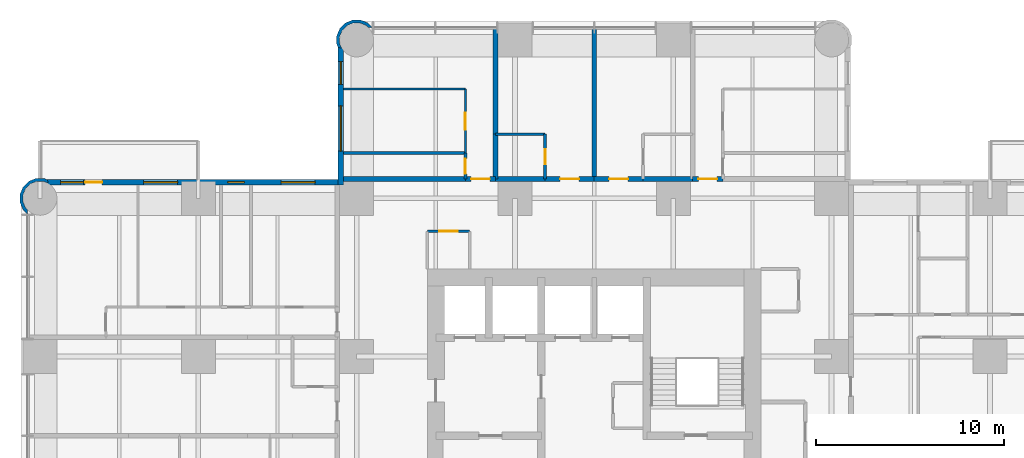
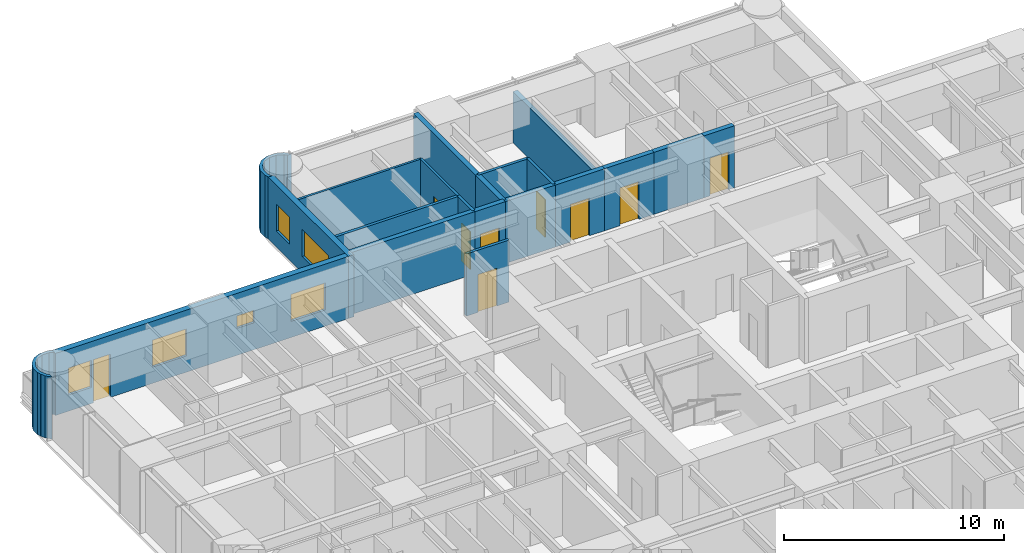
# One storey, part 11 of 14: 21 walls, 9 doors, 6 windows, 15 openings.
"""IFC4 building model written with IfcOpenShell, lengths in metres."""

from ifc_helpers import new_model, si_unit, direction, frame, frame_2d, origin, place, context, subcontext, project, spatial, polyline, rectangle, outline, extrude, material, layer, layer_set, type_object, element, fill, save


model = new_model("IFC4")

# Units and contexts
model_context = context("Model", 3, precision=1e-05, world=origin(), true_north=direction((0.0, 1.0)))
body_context = subcontext(model_context, "Body", "Model", "MODEL_VIEW")
ifc_project = project(units=[si_unit("LENGTHUNIT", "METRE"), si_unit("AREAUNIT", "SQUARE_METRE"), si_unit("VOLUMEUNIT", "CUBIC_METRE"), si_unit("PLANEANGLEUNIT", "RADIAN"), si_unit("MASSUNIT", "GRAM", prefix="KILO")], contexts=[model_context])

# Site, building, storey
site_placement = place(None, origin())
site = spatial("IfcSite", under=ifc_project, at=site_placement, CompositionType="ELEMENT")
building_placement = place(site_placement, origin())
building = spatial("IfcBuilding", under=site, at=building_placement, Name="Torre Alcanfor", CompositionType="ELEMENT")
storey_placement = place(building_placement, frame((0.0, 0.0, 170.10009765625)))
storey = spatial("IfcBuildingStorey", under=building, at=storey_placement, Name="L44", CompositionType="ELEMENT", Elevation=170.10009765625)

# Wall, opening, door
ifc_material_1 = material(Name="Concrete block masonry, hollow blocks NMX-C-404 9 MPa", Category="masonry")
ifc_layer_1 = layer(ifc_material_1, 0.25)
ifc_layer_set_1 = layer_set([ifc_layer_1], Name="Apartment entrance wall 250 EI 60")
wall_type_1 = type_object("IfcWallType", Name="Apartment entrance wall 250 EI 60", PredefinedType="PARTITIONING", material=ifc_layer_set_1)
wall_1_placement = place(storey_placement, frame((26.800048828125, 43.02490234375, 0.0), z_axis=(0.0, 0.0, 1.0), x_axis=(1.0, 0.0, 0.0)))
wall_1 = element("IfcWall", 1, at=wall_1_placement, inside=storey, type_object=wall_type_1, Name="Partition L44-CORR / L44-N1A-STUDIO", PredefinedType="PARTITIONING", context=body_context, shape_type="SweptSolid", body=[
    extrude(rectangle(XDim=2.599853515625, YDim=0.25, at=frame_2d((1.2998046875, 0.0))), origin(), (0.0, 0.0, 1.0), 3.449951171875),
])
opening_1_placement = place(wall_1_placement, frame((0.800048828125, 0.0, 0.0)))
opening_1 = element("IfcOpeningElement", 2, at=opening_1_placement, cuts=wall_1, Name="Opening D-A1", PredefinedType="OPENING", context=body_context, shape_type="SweptSolid", body=[
    extrude(rectangle(XDim=1.0, YDim=2.10009765625, at=frame_2d((0.5, 1.050048828125))), frame((0.0, 0.135009765625, 0.0), z_axis=(0.0, -1.0, 0.0), x_axis=(1.0, 0.0, 0.0)), (0.0, 0.0, 1.0), 0.27001953125),
])
ifc_material_2 = material(Name="Galvanised steel sheet ASTM A653", Category="steel")
door_type_1 = type_object("IfcDoorType", Name="Apartment entrance door FD60 1000x2100", OperationType="SINGLE_SWING_LEFT", PredefinedType="DOOR", material=ifc_material_2)
door_1_placement = place(opening_1_placement, origin())
door_1 = element("IfcDoor", 3, at=door_1_placement, inside=storey, type_object=door_type_1, Name="Apartment entrance L44-N1A", OperationType="SINGLE_SWING_LEFT", OverallHeight=2.10009765625, OverallWidth=1.0, PredefinedType="DOOR", context=body_context, shape_type="SweptSolid", body=[
    extrude(rectangle(XDim=1.0, YDim=2.10009765625, at=frame_2d((0.5, 1.050048828125))), frame((0.0, 0.02490234375, 0.0), z_axis=(0.0, -1.0, 0.0), x_axis=(1.0, 0.0, 0.0)), (0.0, 0.0, 1.0), 0.050048828125),
])
fill(opening_1, door_1)

# Wall
wall_2_placement = place(storey_placement, frame((24.1708984375, 43.02490234375, 0.0), z_axis=(0.0, 0.0, 1.0), x_axis=(1.0, 0.0, 0.0)))
element("IfcWall", 4, at=wall_2_placement, inside=storey, type_object=wall_type_1, Name="Partition L44-CORR / L44-N1A-BATH", PredefinedType="PARTITIONING", context=body_context, shape_type="SweptSolid", body=[
    extrude(rectangle(XDim=2.629150390625, YDim=0.25, at=frame_2d((1.314453125, 0.0))), origin(), (0.0, 0.0, 1.0), 3.449951171875),
])

# Wall, opening, door
wall_3_placement = place(storey_placement, frame((22.571044921875, 43.02490234375, 0.0), z_axis=(0.0, 0.0, 1.0), x_axis=(1.0, 0.0, 0.0)))
wall_3 = element("IfcWall", 5, at=wall_3_placement, inside=storey, type_object=wall_type_1, Name="Partition L44-CORR / L44-N1B-LIVING", PredefinedType="PARTITIONING", context=body_context, shape_type="SweptSolid", body=[
    extrude(rectangle(XDim=1.599853515625, YDim=0.25, at=frame_2d((0.7998046875, 0.0))), origin(), (0.0, 0.0, 1.0), 3.449951171875),
])
opening_2_placement = place(wall_3_placement, frame((0.300048828125, 0.0, 0.0)))
opening_2 = element("IfcOpeningElement", 6, at=opening_2_placement, cuts=wall_3, Name="Opening D-A1", PredefinedType="OPENING", context=body_context, shape_type="SweptSolid", body=[
    extrude(rectangle(XDim=1.0, YDim=2.10009765625, at=frame_2d((0.5, 1.050048828125))), frame((0.0, 0.135009765625, 0.0), z_axis=(0.0, -1.0, 0.0), x_axis=(1.0, 0.0, 0.0)), (0.0, 0.0, 1.0), 0.27001953125),
])
door_2_placement = place(opening_2_placement, origin())
door_2 = element("IfcDoor", 7, at=door_2_placement, inside=storey, type_object=door_type_1, Name="Apartment entrance L44-N1B", OperationType="SINGLE_SWING_LEFT", OverallHeight=2.10009765625, OverallWidth=1.0, PredefinedType="DOOR", context=body_context, shape_type="SweptSolid", body=[
    extrude(rectangle(XDim=1.0, YDim=2.10009765625, at=frame_2d((0.5, 1.050048828125))), frame((0.0, 0.02490234375, 0.0), z_axis=(0.0, -1.0, 0.0), x_axis=(1.0, 0.0, 0.0)), (0.0, 0.0, 1.0), 0.050048828125),
])
fill(opening_2, door_2)

# Wall
wall_4_placement = place(storey_placement, frame((16.10009765625, 43.02490234375, 0.0), z_axis=(0.0, 0.0, 1.0), x_axis=(1.0, 0.0, 0.0)))
element("IfcWall", 8, at=wall_4_placement, inside=storey, type_object=wall_type_1, Name="Partition L44-CORR / L44-N1B-BATH", PredefinedType="PARTITIONING", context=body_context, shape_type="SweptSolid", body=[
    extrude(rectangle(XDim=6.470947265625, YDim=0.25, at=frame_2d((3.2353515625, 0.0))), origin(), (0.0, 0.0, 1.0), 3.449951171875),
])

# Wall, opening, door
wall_5_placement = place(storey_placement, frame((29.39990234375, 43.02490234375, 0.0), z_axis=(0.0, 0.0, 1.0), x_axis=(1.0, 0.0, 0.0)))
wall_5 = element("IfcWall", 9, at=wall_5_placement, inside=storey, type_object=wall_type_1, Name="Partition L44-CORR / L44-N2A-STUDIO", PredefinedType="PARTITIONING", context=body_context, shape_type="SweptSolid", body=[
    extrude(rectangle(XDim=2.60009765625, YDim=0.25, at=frame_2d((1.300048828125, 0.0))), origin(), (0.0, 0.0, 1.0), 3.449951171875),
])
opening_3_placement = place(wall_5_placement, frame((0.800048828125, 0.0, 0.0)))
opening_3 = element("IfcOpeningElement", 10, at=opening_3_placement, cuts=wall_5, Name="Opening D-A1", PredefinedType="OPENING", context=body_context, shape_type="SweptSolid", body=[
    extrude(rectangle(XDim=1.0, YDim=2.10009765625, at=frame_2d((0.5, 1.050048828125))), frame((0.0, 0.135009765625, 0.0), z_axis=(0.0, -1.0, 0.0), x_axis=(1.0, 0.0, 0.0)), (0.0, 0.0, 1.0), 0.27001953125),
])
door_3_placement = place(opening_3_placement, origin())
door_3 = element("IfcDoor", 11, at=door_3_placement, inside=storey, type_object=door_type_1, Name="Apartment entrance L44-N2A", OperationType="SINGLE_SWING_LEFT", OverallHeight=2.10009765625, OverallWidth=1.0, PredefinedType="DOOR", context=body_context, shape_type="SweptSolid", body=[
    extrude(rectangle(XDim=1.0, YDim=2.10009765625, at=frame_2d((0.5, 1.050048828125))), frame((0.0, 0.02490234375, 0.0), z_axis=(0.0, -1.0, 0.0), x_axis=(1.0, 0.0, 0.0)), (0.0, 0.0, 1.0), 0.050048828125),
])
fill(opening_3, door_3)

# Wall
wall_6_placement = place(storey_placement, frame((32.0, 43.02490234375, 0.0), z_axis=(0.0, 0.0, 1.0), x_axis=(1.0, 0.0, 0.0)))
element("IfcWall", 12, at=wall_6_placement, inside=storey, type_object=wall_type_1, Name="Partition L44-CORR / L44-N2A-BATH", PredefinedType="PARTITIONING", context=body_context, shape_type="SweptSolid", body=[
    extrude(rectangle(XDim=2.62890625, YDim=0.25, at=frame_2d((1.314453125, 0.0))), origin(), (0.0, 0.0, 1.0), 3.449951171875),
])

# Wall, opening, door
wall_7_placement = place(storey_placement, frame((34.62890625, 43.02490234375, 0.0), z_axis=(0.0, 0.0, 1.0), x_axis=(1.0, 0.0, 0.0)))
wall_7 = element("IfcWall", 13, at=wall_7_placement, inside=storey, type_object=wall_type_1, Name="Partition L44-CORR / L44-N2B-LIVING", PredefinedType="PARTITIONING", context=body_context, shape_type="SweptSolid", body=[
    extrude(rectangle(XDim=1.60009765625, YDim=0.25, at=frame_2d((0.800048828125, 0.0))), origin(), (0.0, 0.0, 1.0), 3.449951171875),
])
opening_4_placement = place(wall_7_placement, frame((0.300048828125, 0.0, 0.0)))
opening_4 = element("IfcOpeningElement", 14, at=opening_4_placement, cuts=wall_7, Name="Opening D-A1", PredefinedType="OPENING", context=body_context, shape_type="SweptSolid", body=[
    extrude(rectangle(XDim=1.0, YDim=2.10009765625, at=frame_2d((0.5, 1.050048828125))), frame((0.0, 0.135009765625, 0.0), z_axis=(0.0, -1.0, 0.0), x_axis=(1.0, 0.0, 0.0)), (0.0, 0.0, 1.0), 0.27001953125),
])
door_4_placement = place(opening_4_placement, origin())
door_4 = element("IfcDoor", 15, at=door_4_placement, inside=storey, type_object=door_type_1, Name="Apartment entrance L44-N2B", OperationType="SINGLE_SWING_LEFT", OverallHeight=2.10009765625, OverallWidth=1.0, PredefinedType="DOOR", context=body_context, shape_type="SweptSolid", body=[
    extrude(rectangle(XDim=1.0, YDim=2.10009765625, at=frame_2d((0.5, 1.050048828125))), frame((0.0, 0.02490234375, 0.0), z_axis=(0.0, -1.0, 0.0), x_axis=(1.0, 0.0, 0.0)), (0.0, 0.0, 1.0), 0.050048828125),
])
fill(opening_4, door_4)

ifc_material_3 = material(Name="Gypsum board on steel studs", Category="steel")
ifc_layer_2 = layer(ifc_material_3, 0.1201171875)
ifc_layer_set_2 = layer_set([ifc_layer_2], Name="Apartment partition 120")
wall_type_2 = type_object("IfcWallType", Name="Apartment partition 120", PredefinedType="PARTITIONING", material=ifc_layer_set_2)
wall_8_placement = place(storey_placement, frame((22.571044921875, 44.39990234375, 0.0), z_axis=(0.0, 0.0, 1.0), x_axis=(0.0, 1.0, 0.0)))
wall_8 = element("IfcWall", 16, at=wall_8_placement, inside=storey, type_object=wall_type_2, Name="Partition L44-N1B-LIVING / L44-N1B-MASTER", PredefinedType="PARTITIONING", context=body_context, shape_type="SweptSolid", body=[
    extrude(rectangle(XDim=3.400146484375, YDim=0.1201171875, at=frame_2d((1.7001953125, 0.0))), origin(), (0.0, 0.0, 1.0), 3.449951171875),
])
opening_5_placement = place(wall_8_placement, frame((1.25, 0.0, 0.0)))
opening_5 = element("IfcOpeningElement", 17, at=opening_5_placement, cuts=wall_8, Name="Opening D-R1", PredefinedType="OPENING", context=body_context, shape_type="SweptSolid", body=[
    extrude(rectangle(XDim=0.89990234375, YDim=2.10009765625, at=frame_2d((0.449951171875, 1.050048828125))), frame((0.0, 0.070068359375, 0.0), z_axis=(0.0, -1.0, 0.0), x_axis=(1.0, 0.0, 0.0)), (0.0, 0.0, 1.0), 0.14013671875),
])
ifc_material_4 = material(Name="Timber", Category="wood")
door_type_2 = type_object("IfcDoorType", Name="Internal door 900x2100", OperationType="SINGLE_SWING_LEFT", PredefinedType="DOOR", material=ifc_material_4)
door_5_placement = place(opening_5_placement, origin())
door_5 = element("IfcDoor", 18, at=door_5_placement, inside=storey, type_object=door_type_2, Name="Door L44-N1B master", OperationType="SINGLE_SWING_LEFT", OverallHeight=2.10009765625, OverallWidth=0.89990234375, PredefinedType="DOOR", context=body_context, shape_type="SweptSolid", body=[
    extrude(rectangle(XDim=0.89990234375, YDim=2.10009765625, at=frame_2d((0.449951171875, 1.050048828125))), frame((0.0, 0.02490234375, 0.0), z_axis=(0.0, -1.0, 0.0), x_axis=(1.0, 0.0, 0.0)), (0.0, 0.0, 1.0), 0.050048828125),
])
fill(opening_5, door_5)

# Wall
wall_9_placement = place(storey_placement, frame((22.571044921875, 47.800048828125, 0.0), z_axis=(0.0, 0.0, 1.0), x_axis=(-1.0, 0.0, 0.0)))
element("IfcWall", 19, at=wall_9_placement, inside=storey, type_object=wall_type_2, Name="Partition L44-N1B-LIVING / L44-N1B-MASTER", PredefinedType="PARTITIONING", context=body_context, shape_type="SweptSolid", body=[
    extrude(rectangle(XDim=6.470947265625, YDim=0.1201171875, at=frame_2d((3.2353515625, 0.0))), origin(), (0.0, 0.0, 1.0), 3.449951171875),
])

# Wall, openings, door, windows
ifc_material_5 = material(Name="Limestone cladding", Category="masonry")
ifc_layer_3 = layer(ifc_material_5, 0.0400390625, Name="Facing")
ifc_material_6 = material(Name="Ventilated air cavity")
ifc_layer_4 = layer(ifc_material_6, 0.02001953125, ventilated=True, Name="Ventilated joint")
ifc_material_7 = material(Name="Mineral wool insulation", Category="insulation")
ifc_layer_5 = layer(ifc_material_7, 0.10009765625, Name="Insulation")
ifc_material_8 = material(Name="Concrete f'c 35 MPa", Category="concrete")
ifc_layer_6 = layer(ifc_material_8, 0.139892578125, Name="Backing")
ifc_layer_set_3 = layer_set([ifc_layer_3, ifc_layer_4, ifc_layer_5, ifc_layer_6], Name="External wall stone-clad 300")
wall_type_3 = type_object("IfcWallType", Name="External wall stone-clad 300", PredefinedType="SOLIDWALL", material=ifc_layer_set_3)
wall_10_placement = place(storey_placement, frame((15.800048828125, 42.85009765625, 0.0), z_axis=(0.0, 0.0, 1.0), x_axis=(-1.0, 0.0, 0.0)))
wall_10 = element("IfcWall", 20, at=wall_10_placement, inside=storey, type_object=wall_type_3, Name="External wall L44 1", PredefinedType="SOLIDWALL", context=body_context, shape_type="SweptSolid", body=[
    extrude(rectangle(XDim=15.400146484375, YDim=0.300048828125, at=frame_2d((7.7001953125, 0.0))), origin(), (0.0, 0.0, 1.0), 3.449951171875),
])
opening_6_placement = place(wall_10_placement, frame((1.199951171875, 0.0, 0.89990234375)))
opening_6 = element("IfcOpeningElement", 21, at=opening_6_placement, cuts=wall_10, Name="Opening W2", PredefinedType="OPENING", context=body_context, shape_type="SweptSolid", body=[
    extrude(rectangle(XDim=1.800048828125, YDim=1.5, at=frame_2d((0.89990234375, 0.75))), frame((0.0, 0.159912109375, 0.0), z_axis=(0.0, -1.0, 0.0), x_axis=(1.0, 0.0, 0.0)), (0.0, 0.0, 1.0), 0.320068359375),
])
opening_7_placement = place(wall_10_placement, frame((4.949951171875, 0.0, 1.5)))
opening_7 = element("IfcOpeningElement", 22, at=opening_7_placement, cuts=wall_10, Name="Opening W3", PredefinedType="OPENING", context=body_context, shape_type="SweptSolid", body=[
    extrude(rectangle(XDim=0.89990234375, YDim=0.699951171875, at=frame_2d((0.449951171875, 0.35009765625))), frame((0.0, 0.159912109375, 0.0), z_axis=(0.0, -1.0, 0.0), x_axis=(1.0, 0.0, 0.0)), (0.0, 0.0, 1.0), 0.320068359375),
])
opening_8_placement = place(wall_10_placement, frame((8.5, 0.0, 0.89990234375)))
opening_8 = element("IfcOpeningElement", 23, at=opening_8_placement, cuts=wall_10, Name="Opening W2", PredefinedType="OPENING", context=body_context, shape_type="SweptSolid", body=[
    extrude(rectangle(XDim=1.800048828125, YDim=1.5, at=frame_2d((0.89990234375, 0.75))), frame((0.0, 0.159912109375, 0.0), z_axis=(0.0, -1.0, 0.0), x_axis=(1.0, 0.0, 0.0)), (0.0, 0.0, 1.0), 0.320068359375),
])
opening_9_placement = place(wall_10_placement, frame((12.5, 0.0, 0.0)))
opening_9 = element("IfcOpeningElement", 24, at=opening_9_placement, cuts=wall_10, Name="Opening D-B1", PredefinedType="OPENING", context=body_context, shape_type="SweptSolid", body=[
    extrude(rectangle(XDim=0.89990234375, YDim=2.39990234375, at=frame_2d((0.449951171875, 1.199951171875))), frame((0.0, 0.159912109375, 0.0), z_axis=(0.0, -1.0, 0.0), x_axis=(1.0, 0.0, 0.0)), (0.0, 0.0, 1.0), 0.320068359375),
])
opening_10_placement = place(wall_10_placement, frame((13.5, 0.0, 0.89990234375)))
opening_10 = element("IfcOpeningElement", 25, at=opening_10_placement, cuts=wall_10, Name="Opening W4", PredefinedType="OPENING", context=body_context, shape_type="SweptSolid", body=[
    extrude(rectangle(XDim=1.199951171875, YDim=1.5, at=frame_2d((0.60009765625, 0.75))), frame((0.0, 0.159912109375, 0.0), z_axis=(0.0, -1.0, 0.0), x_axis=(1.0, 0.0, 0.0)), (0.0, 0.0, 1.0), 0.320068359375),
])
ifc_material_9 = material(Name="Aluminium and glass", Category="aluminium")
door_type_3 = type_object("IfcDoorType", Name="Balcony door glazed 900x2400", OperationType="SINGLE_SWING_LEFT", PredefinedType="DOOR", material=ifc_material_9)
door_6_placement = place(opening_9_placement, origin())
door_6 = element("IfcDoor", 26, at=door_6_placement, inside=storey, type_object=door_type_3, Name="Balcony door L44-W2", OperationType="SINGLE_SWING_LEFT", OverallHeight=2.39990234375, OverallWidth=0.89990234375, PredefinedType="DOOR", context=body_context, shape_type="SweptSolid", body=[
    extrude(rectangle(XDim=0.89990234375, YDim=2.39990234375, at=frame_2d((0.449951171875, 1.199951171875))), frame((0.0, 0.02490234375, 0.0), z_axis=(0.0, -1.0, 0.0), x_axis=(1.0, 0.0, 0.0)), (0.0, 0.0, 1.0), 0.050048828125),
])
fill(opening_9, door_6)
ifc_material_10 = material(Name="Aluminium frame with clear double glazing", Category="aluminium")
window_type_1 = type_object("IfcWindowType", Name="Window bathroom 900x700", PartitioningType="SINGLE_PANEL", PredefinedType="WINDOW", material=ifc_material_10)
window_1_placement = place(opening_7_placement, origin())
window_1 = element("IfcWindow", 27, at=window_1_placement, inside=storey, type_object=window_type_1, Name="Window W3 L44-W2", OverallHeight=0.699951171875, OverallWidth=0.89990234375, PartitioningType="SINGLE_PANEL", PredefinedType="WINDOW", context=body_context, shape_type="SweptSolid", body=[
    extrude(rectangle(XDim=0.89990234375, YDim=0.699951171875, at=frame_2d((0.449951171875, 0.35009765625))), frame((0.0, 0.030029296875, 0.0), z_axis=(0.0, -1.0, 0.0), x_axis=(1.0, 0.0, 0.0)), (0.0, 0.0, 1.0), 0.06005859375),
])
fill(opening_7, window_1)
ifc_material_11 = material(Name="Aluminium frame with clear double glazing", Category="aluminium")
window_type_2 = type_object("IfcWindowType", Name="Window bedroom 1200x1500", PartitioningType="SINGLE_PANEL", PredefinedType="WINDOW", material=ifc_material_11)
window_2_placement = place(opening_10_placement, origin())
window_2 = element("IfcWindow", 28, at=window_2_placement, inside=storey, type_object=window_type_2, Name="Window W4 L44-W2", OverallHeight=1.5, OverallWidth=1.199951171875, PartitioningType="SINGLE_PANEL", PredefinedType="WINDOW", context=body_context, shape_type="SweptSolid", body=[
    extrude(rectangle(XDim=1.199951171875, YDim=1.5, at=frame_2d((0.60009765625, 0.75))), frame((0.0, 0.030029296875, 0.0), z_axis=(0.0, -1.0, 0.0), x_axis=(1.0, 0.0, 0.0)), (0.0, 0.0, 1.0), 0.06005859375),
])
fill(opening_10, window_2)
ifc_material_12 = material(Name="Aluminium frame with clear double glazing", Category="aluminium")
window_type_3 = type_object("IfcWindowType", Name="Window bedroom 1800x1500", PartitioningType="SINGLE_PANEL", PredefinedType="WINDOW", material=ifc_material_12)
window_3_placement = place(opening_6_placement, origin())
window_3 = element("IfcWindow", 29, at=window_3_placement, inside=storey, type_object=window_type_3, Name="Window W2 L44-W2", OverallHeight=1.5, OverallWidth=1.800048828125, PartitioningType="SINGLE_PANEL", PredefinedType="WINDOW", context=body_context, shape_type="SweptSolid", body=[
    extrude(rectangle(XDim=1.800048828125, YDim=1.5, at=frame_2d((0.89990234375, 0.75))), frame((0.0, 0.030029296875, 0.0), z_axis=(0.0, -1.0, 0.0), x_axis=(1.0, 0.0, 0.0)), (0.0, 0.0, 1.0), 0.06005859375),
])
fill(opening_6, window_3)
window_4_placement = place(opening_8_placement, origin())
window_4 = element("IfcWindow", 30, at=window_4_placement, inside=storey, type_object=window_type_3, Name="Window W2 L44-W2", OverallHeight=1.5, OverallWidth=1.800048828125, PartitioningType="SINGLE_PANEL", PredefinedType="WINDOW", context=body_context, shape_type="SweptSolid", body=[
    extrude(rectangle(XDim=1.800048828125, YDim=1.5, at=frame_2d((0.89990234375, 0.75))), frame((0.0, 0.030029296875, 0.0), z_axis=(0.0, -1.0, 0.0), x_axis=(1.0, 0.0, 0.0)), (0.0, 0.0, 1.0), 0.06005859375),
])
fill(opening_8, window_4)

# Wall, openings, windows
wall_11_placement = place(storey_placement, frame((15.949951171875, 50.0, 0.0), z_axis=(0.0, 0.0, 1.0), x_axis=(0.0, -1.0, 0.0)))
wall_11 = element("IfcWall", 31, at=wall_11_placement, inside=storey, type_object=wall_type_3, Name="External wall L44 12", PredefinedType="SOLIDWALL", context=body_context, shape_type="SweptSolid", body=[
    extrude(rectangle(XDim=7.300048828125, YDim=0.300048828125, at=frame_2d((3.64990234375, 0.0))), origin(), (0.0, 0.0, 1.0), 3.449951171875),
])
opening_11_placement = place(wall_11_placement, frame((3.10009765625, 0.0, 0.89990234375)))
opening_11 = element("IfcOpeningElement", 32, at=opening_11_placement, cuts=wall_11, Name="Opening W1", PredefinedType="OPENING", context=body_context, shape_type="SweptSolid", body=[
    extrude(rectangle(XDim=2.39990234375, YDim=1.5, at=frame_2d((1.199951171875, 0.75))), frame((0.0, 0.159912109375, 0.0), z_axis=(0.0, -1.0, 0.0), x_axis=(1.0, 0.0, 0.0)), (0.0, 0.0, 1.0), 0.320068359375),
])
opening_12_placement = place(wall_11_placement, frame((0.75, 0.0, 0.89990234375)))
opening_12 = element("IfcOpeningElement", 33, at=opening_12_placement, cuts=wall_11, Name="Opening W4", PredefinedType="OPENING", context=body_context, shape_type="SweptSolid", body=[
    extrude(rectangle(XDim=1.199951171875, YDim=1.5, at=frame_2d((0.60009765625, 0.75))), frame((0.0, 0.159912109375, 0.0), z_axis=(0.0, -1.0, 0.0), x_axis=(1.0, 0.0, 0.0)), (0.0, 0.0, 1.0), 0.320068359375),
])
window_5_placement = place(opening_12_placement, origin())
window_5 = element("IfcWindow", 34, at=window_5_placement, inside=storey, type_object=window_type_2, Name="Window W4 L44-N1", OverallHeight=1.5, OverallWidth=1.199951171875, PartitioningType="SINGLE_PANEL", PredefinedType="WINDOW", context=body_context, shape_type="SweptSolid", body=[
    extrude(rectangle(XDim=1.199951171875, YDim=1.5, at=frame_2d((0.60009765625, 0.75))), frame((0.0, 0.030029296875, 0.0), z_axis=(0.0, -1.0, 0.0), x_axis=(1.0, 0.0, 0.0)), (0.0, 0.0, 1.0), 0.06005859375),
])
fill(opening_12, window_5)
ifc_material_13 = material(Name="Aluminium frame with clear double glazing", Category="aluminium")
window_type_4 = type_object("IfcWindowType", Name="Window bedroom 2400x1500", PartitioningType="SINGLE_PANEL", PredefinedType="WINDOW", material=ifc_material_13)
window_6_placement = place(opening_11_placement, origin())
window_6 = element("IfcWindow", 35, at=window_6_placement, inside=storey, type_object=window_type_4, Name="Window W1 L44-N1", OverallHeight=1.5, OverallWidth=2.39990234375, PartitioningType="SINGLE_PANEL", PredefinedType="WINDOW", context=body_context, shape_type="SweptSolid", body=[
    extrude(rectangle(XDim=2.39990234375, YDim=1.5, at=frame_2d((1.199951171875, 0.75))), frame((0.0, 0.030029296875, 0.0), z_axis=(0.0, -1.0, 0.0), x_axis=(1.0, 0.0, 0.0)), (0.0, 0.0, 1.0), 0.06005859375),
])
fill(opening_11, window_6)

# Walls
ifc_material_14 = material(Name="Concrete block masonry, hollow blocks NMX-C-404 9 MPa", Category="masonry")
ifc_layer_7 = layer(ifc_material_14, 0.25)
ifc_layer_set_4 = layer_set([ifc_layer_7], Name="Party wall 250 EI 60")
wall_type_4 = type_object("IfcWallType", Name="Party wall 250 EI 60", PredefinedType="PARTITIONING", material=ifc_layer_set_4)
wall_12_placement = place(storey_placement, frame((24.1708984375, 45.39990234375, 0.0), z_axis=(0.0, 0.0, 1.0), x_axis=(0.0, 1.0, 0.0)))
element("IfcWall", 36, at=wall_12_placement, inside=storey, type_object=wall_type_4, Name="Partition L44-N1A-STUDIO / L44-N1B-LIVING", PredefinedType="PARTITIONING", context=body_context, shape_type="SweptSolid", body=[
    extrude(rectangle(XDim=5.650146484375, YDim=0.25, at=frame_2d((2.8251953125, 0.0))), origin(), (0.0, 0.0, 1.0), 3.449951171875),
])
wall_13_placement = place(storey_placement, frame((29.39990234375, 51.050048828125, 0.0), z_axis=(0.0, 0.0, 1.0), x_axis=(0.0, -1.0, 0.0)))
element("IfcWall", 37, at=wall_13_placement, inside=storey, type_object=wall_type_4, Name="Partition L44-N1A-STUDIO / L44-N2A-STUDIO", PredefinedType="PARTITIONING", context=body_context, shape_type="SweptSolid", body=[
    extrude(rectangle(XDim=8.025146484375, YDim=0.25, at=frame_2d((4.0126953125, 0.0))), origin(), (0.0, 0.0, 1.0), 2.847900390625),
])
wall_14_placement = place(storey_placement, frame((24.1708984375, 45.39990234375, 0.0), z_axis=(0.0, 0.0, 1.0), x_axis=(0.0, -1.0, 0.0)))
element("IfcWall", 38, at=wall_14_placement, inside=storey, type_object=wall_type_4, Name="Partition L44-N1A-BATH / L44-N1B-LIVING", PredefinedType="PARTITIONING", context=body_context, shape_type="SweptSolid", body=[
    extrude(rectangle(XDim=2.375, YDim=0.25, at=frame_2d((1.1875, 0.0))), origin(), (0.0, 0.0, 1.0), 3.449951171875),
])

# Wall, opening, door
ifc_material_15 = material(Name="Concrete block masonry, hollow blocks NMX-C-404 9 MPa", Category="masonry")
ifc_layer_8 = layer(ifc_material_15, 0.14990234375)
ifc_layer_set_5 = layer_set([ifc_layer_8], Name="Residents' room partition 150")
wall_type_5 = type_object("IfcWallType", Name="Residents' room partition 150", PredefinedType="PARTITIONING", material=ifc_layer_set_5)
wall_15_placement = place(storey_placement, frame((22.800048828125, 40.25, 0.0), z_axis=(0.0, 0.0, 1.0), x_axis=(-1.0, 0.0, 0.0)))
wall_15 = element("IfcWall", 39, at=wall_15_placement, inside=storey, type_object=wall_type_5, Name="Partition L44-CORR / L44-G01", PredefinedType="PARTITIONING", context=body_context, shape_type="SweptSolid", body=[
    extrude(rectangle(XDim=2.25, YDim=0.14990234375, at=frame_2d((1.125, 0.0))), origin(), (0.0, 0.0, 1.0), 3.449951171875),
])
opening_13_placement = place(wall_15_placement, frame((0.625, 0.0, 0.0)))
opening_13 = element("IfcOpeningElement", 40, at=opening_13_placement, cuts=wall_15, Name="Opening D-M1", PredefinedType="OPENING", context=body_context, shape_type="SweptSolid", body=[
    extrude(rectangle(XDim=1.0, YDim=2.10009765625, at=frame_2d((0.5, 1.050048828125))), frame((0.0, 0.0849609375, 0.0), z_axis=(0.0, -1.0, 0.0), x_axis=(1.0, 0.0, 0.0)), (0.0, 0.0, 1.0), 0.169921875),
])
ifc_material_16 = material(Name="Timber", Category="wood")
door_type_4 = type_object("IfcDoorType", Name="Residents' room door 1000x2100", OperationType="SINGLE_SWING_LEFT", PredefinedType="DOOR", material=ifc_material_16)
door_7_placement = place(opening_13_placement, origin())
door_7 = element("IfcDoor", 41, at=door_7_placement, inside=storey, type_object=door_type_4, Name="Door L44-G01 residents' storage lockers", OperationType="SINGLE_SWING_LEFT", OverallHeight=2.10009765625, OverallWidth=1.0, PredefinedType="DOOR", context=body_context, shape_type="SweptSolid", body=[
    extrude(rectangle(XDim=1.0, YDim=2.10009765625, at=frame_2d((0.5, 1.050048828125))), frame((0.0, 0.02490234375, 0.0), z_axis=(0.0, -1.0, 0.0), x_axis=(1.0, 0.0, 0.0)), (0.0, 0.0, 1.0), 0.050048828125),
])
fill(opening_13, door_7)

# Walls
ifc_layer_9 = layer(ifc_material_5, 0.0400390625, Name="Facing")
ifc_layer_10 = layer(ifc_material_6, 0.02001953125, ventilated=True, Name="Ventilated joint")
ifc_layer_11 = layer(ifc_material_7, 0.10009765625, Name="Insulation")
ifc_layer_12 = layer(ifc_material_8, 0.139892578125, Name="Backing")
ifc_layer_set_6 = layer_set([ifc_layer_9, ifc_layer_10, ifc_layer_11, ifc_layer_12], Name="Rounded corner pier stone-clad 300")
wall_type_6 = type_object("IfcWallType", Name="Rounded corner pier stone-clad 300", PredefinedType="SOLIDWALL", material=ifc_layer_set_6)
wall_16_placement = place(storey_placement, frame((0.363962863, 42.909907157, 0.0), z_axis=(0.0, 0.0, 1.0), x_axis=(-0.926129809145, 0.377204953059, 0.0)))
element("IfcWall", 42, at=wall_16_placement, inside=storey, type_object=wall_type_6, Name="Corner pier L44 13", PredefinedType="SOLIDWALL", context=body_context, shape_type="SweptSolid", body=[
    extrude(outline(polyline([(0.36027248147905344, 1.8032799323574271), (0.5087783723473315, 1.740921099842025), (0.7605913470133172, 1.4857584601095954), (0.8957810128069955, 1.1538349835897281), (0.8939031559639274, 0.7953461823991875), (0.7547957339381889, 0.4650577343600455), (0.4996330942057594, 0.21324475969405968), (0.1677096176858921, 0.07805509390038129), (-0.09992182078970525, 0.07950523369113624), (0.0006988421670046999, -0.09699421764222865), (0.0300177129428464, -0.08030783699434613), (0.19858532179107968, -0.08124570553990346), (0.5888441232034033, 0.0777034519259609), (0.8888369702307105, 0.374136779300854), (1.052603126025944, 0.7629734686109036), (1.0550818122472803, 1.1847106876949156), (0.8961326547814159, 1.5749694891072394), (0.7776866026168303, 1.6949130219751851), (0.7691400347446393, 1.7275471706587737), (0.7502646662372825, 1.7227591424871238), (0.599699327406523, 1.8749623361345464), (0.2945484394782597, 2.0034825844222954), (0.2809820848521072, 1.9979571212427172), (0.36027248147905344, 1.8032799323574271)])), origin(), (0.0, 0.0, 1.0), 3.449951171875),
])
wall_17_placement = place(storey_placement, frame((17.56659392, 51.010519256, 0.0), z_axis=(0.0, 0.0, 1.0), x_axis=(-0.377204953059, 0.926129809145, 0.0)))
element("IfcWall", 43, at=wall_17_placement, inside=storey, type_object=wall_type_6, Name="Corner pier L44 20", PredefinedType="SOLIDWALL", context=body_context, shape_type="SweptSolid", body=[
    extrude(outline(polyline([(-0.2695224472393146, 2.01722293730975), (-0.3701431101960245, 1.8407234859763855), (-0.10241958066743428, 1.8423997316775762), (0.22950389585243314, 1.707210065883898), (0.4845744445318696, 1.4551709853074761), (0.6236818665576082, 1.1248825372683342), (0.6257858293111122, 0.7663016450248007), (0.4905961635174338, 0.43437816850493327), (0.2386491739940051, 0.17953372573593263), (0.09027729798316994, 0.11685669625710161), (0.0109869013562237, -0.07782049262818846), (0.02455325598237632, -0.0833459558077666), (0.32947803800020364, 0.045266383532975185), (0.4800433768309631, 0.19746957718039798), (0.49891874533832004, 0.19268154900874804), (0.507465313210511, 0.22531569769233664), (0.6259113653750967, 0.34525923056028235), (0.784952613893954, 0.7357441378830418), (0.7823818366196249, 1.157255251056618), (0.618841786734827, 1.5459998493136748), (0.3188489397075199, 1.842433176688568), (-0.0716359676152396, 2.0014744252074252), (-0.2399774705530371, 2.000444465608875), (-0.2695224472393146, 2.01722293730975)])), origin(), (0.0, 0.0, 1.0), 3.449951171875),
])

# Wall, opening, door
ifc_material_17 = material(Name="Cement board on steel studs", Category="steel")
ifc_layer_13 = layer(ifc_material_17, 0.14990234375)
ifc_layer_set_7 = layer_set([ifc_layer_13], Name="Wet area partition 150")
wall_type_7 = type_object("IfcWallType", Name="Wet area partition 150", PredefinedType="PARTITIONING", material=ifc_layer_set_7)
wall_18_placement = place(storey_placement, frame((26.800048828125, 43.02490234375, 0.0), z_axis=(0.0, 0.0, 1.0), x_axis=(0.0, 1.0, 0.0)))
wall_18 = element("IfcWall", 44, at=wall_18_placement, inside=storey, type_object=wall_type_7, Name="Partition L44-N1A-STUDIO / L44-N1A-BATH", PredefinedType="PARTITIONING", context=body_context, shape_type="SweptSolid", body=[
    extrude(rectangle(XDim=2.375, YDim=0.14990234375, at=frame_2d((1.1875, 0.0))), origin(), (0.0, 0.0, 1.0), 3.449951171875),
])
opening_14_placement = place(wall_18_placement, frame((0.77490234375, 0.0, 0.0)))
opening_14 = element("IfcOpeningElement", 45, at=opening_14_placement, cuts=wall_18, Name="Opening D-R2", PredefinedType="OPENING", context=body_context, shape_type="SweptSolid", body=[
    extrude(rectangle(XDim=0.800048828125, YDim=2.10009765625, at=frame_2d((0.39990234375, 1.050048828125))), frame((0.0, 0.0849609375, 0.0), z_axis=(0.0, -1.0, 0.0), x_axis=(1.0, 0.0, 0.0)), (0.0, 0.0, 1.0), 0.169921875),
])
ifc_material_18 = material(Name="Timber", Category="wood")
door_type_5 = type_object("IfcDoorType", Name="Bathroom door 800x2100", OperationType="SINGLE_SWING_LEFT", PredefinedType="DOOR", material=ifc_material_18)
door_8_placement = place(opening_14_placement, origin())
door_8 = element("IfcDoor", 46, at=door_8_placement, inside=storey, type_object=door_type_5, Name="Door L44-N1A bath", OperationType="SINGLE_SWING_LEFT", OverallHeight=2.10009765625, OverallWidth=0.800048828125, PredefinedType="DOOR", context=body_context, shape_type="SweptSolid", body=[
    extrude(rectangle(XDim=0.800048828125, YDim=2.10009765625, at=frame_2d((0.39990234375, 1.050048828125))), frame((0.0, 0.02490234375, 0.0), z_axis=(0.0, -1.0, 0.0), x_axis=(1.0, 0.0, 0.0)), (0.0, 0.0, 1.0), 0.050048828125),
])
fill(opening_14, door_8)

# Wall
wall_19_placement = place(storey_placement, frame((26.800048828125, 45.39990234375, 0.0), z_axis=(0.0, 0.0, 1.0), x_axis=(-1.0, 0.0, 0.0)))
element("IfcWall", 47, at=wall_19_placement, inside=storey, type_object=wall_type_7, Name="Partition L44-N1A-STUDIO / L44-N1A-BATH", PredefinedType="PARTITIONING", context=body_context, shape_type="SweptSolid", body=[
    extrude(rectangle(XDim=2.629150390625, YDim=0.14990234375, at=frame_2d((1.314453125, 0.0))), origin(), (0.0, 0.0, 1.0), 3.449951171875),
])

# Wall, opening, door
wall_20_placement = place(storey_placement, frame((22.571044921875, 43.02490234375, 0.0), z_axis=(0.0, 0.0, 1.0), x_axis=(0.0, 1.0, 0.0)))
wall_20 = element("IfcWall", 48, at=wall_20_placement, inside=storey, type_object=wall_type_7, Name="Partition L44-N1B-LIVING / L44-N1B-BATH", PredefinedType="PARTITIONING", context=body_context, shape_type="SweptSolid", body=[
    extrude(rectangle(XDim=1.375, YDim=0.14990234375, at=frame_2d((0.6875, 0.0))), origin(), (0.0, 0.0, 1.0), 3.449951171875),
])
opening_15_placement = place(wall_20_placement, frame((0.27490234375, 0.0, 0.0)))
opening_15 = element("IfcOpeningElement", 49, at=opening_15_placement, cuts=wall_20, Name="Opening D-R2", PredefinedType="OPENING", context=body_context, shape_type="SweptSolid", body=[
    extrude(rectangle(XDim=0.800048828125, YDim=2.10009765625, at=frame_2d((0.39990234375, 1.050048828125))), frame((0.0, 0.0849609375, 0.0), z_axis=(0.0, -1.0, 0.0), x_axis=(1.0, 0.0, 0.0)), (0.0, 0.0, 1.0), 0.169921875),
])
door_9_placement = place(opening_15_placement, origin())
door_9 = element("IfcDoor", 50, at=door_9_placement, inside=storey, type_object=door_type_5, Name="Door L44-N1B bath", OperationType="SINGLE_SWING_LEFT", OverallHeight=2.10009765625, OverallWidth=0.800048828125, PredefinedType="DOOR", context=body_context, shape_type="SweptSolid", body=[
    extrude(rectangle(XDim=0.800048828125, YDim=2.10009765625, at=frame_2d((0.39990234375, 1.050048828125))), frame((0.0, 0.02490234375, 0.0), z_axis=(0.0, -1.0, 0.0), x_axis=(1.0, 0.0, 0.0)), (0.0, 0.0, 1.0), 0.050048828125),
])
fill(opening_15, door_9)

# Wall
wall_21_placement = place(storey_placement, frame((22.571044921875, 44.39990234375, 0.0), z_axis=(0.0, 0.0, 1.0), x_axis=(-1.0, 0.0, 0.0)))
element("IfcWall", 51, at=wall_21_placement, inside=storey, type_object=wall_type_7, Name="Partition L44-N1B-BATH / L44-N1B-MASTER", PredefinedType="PARTITIONING", context=body_context, shape_type="SweptSolid", body=[
    extrude(rectangle(XDim=6.470947265625, YDim=0.14990234375, at=frame_2d((3.2353515625, 0.0))), origin(), (0.0, 0.0, 1.0), 3.449951171875),
])

save(model, "model.ifc")
